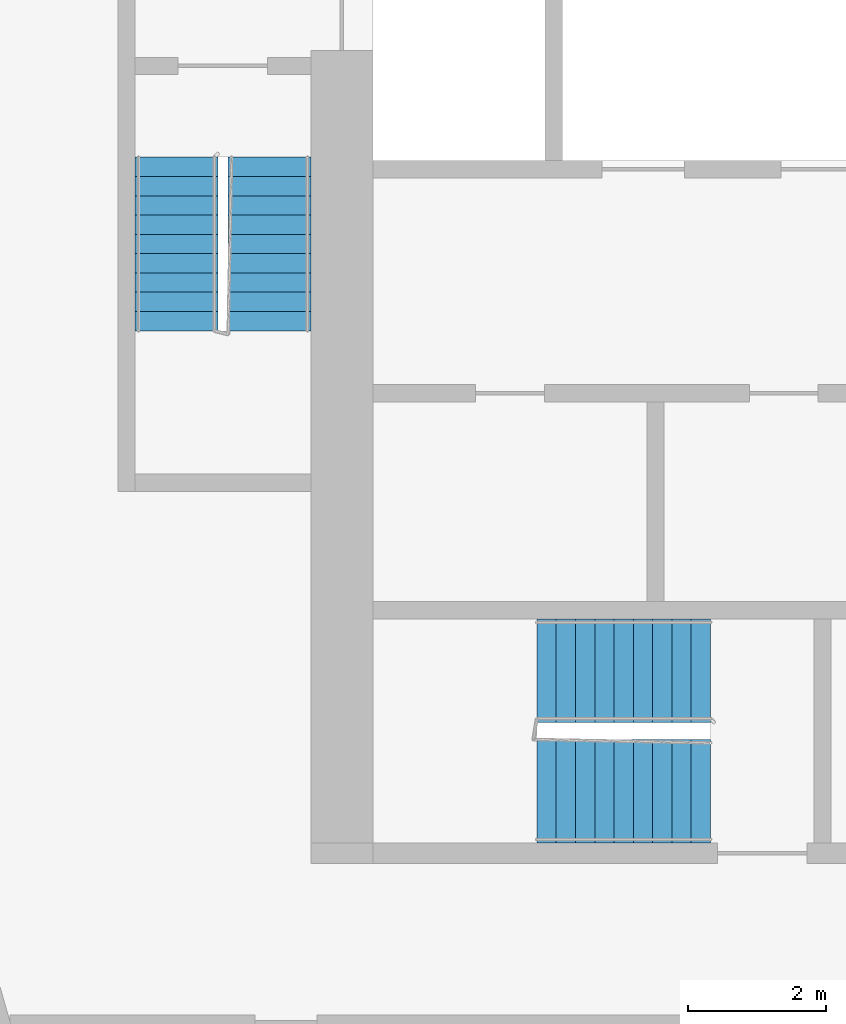
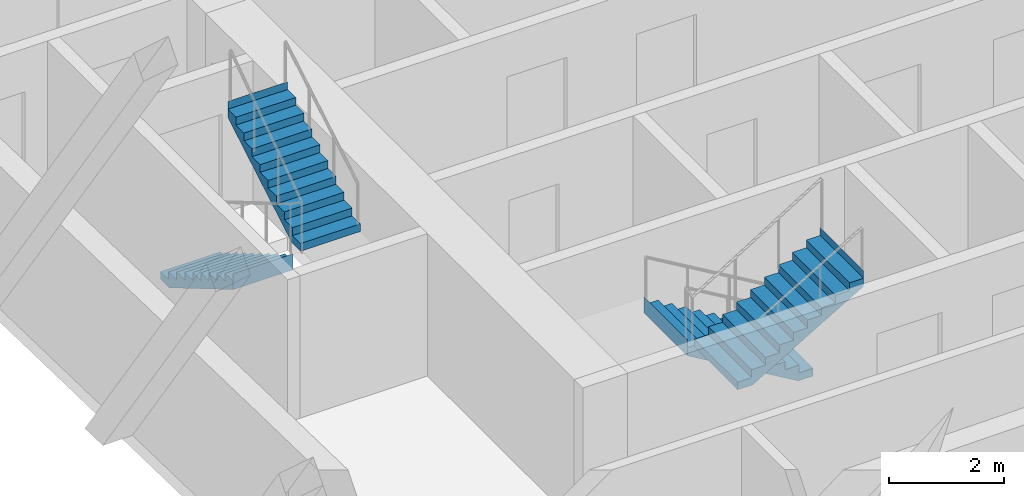
# One storey, part 8 of 12: 4 stair flights, 2 elements without a shape of their own.
"""IFC4 building model written with IfcOpenShell, lengths in metres."""

from ifc_helpers import new_model, si_unit, direction, frame, origin, place, context, subcontext, project, spatial, faceted_brep, material, type_object, element, aggregate, save


model = new_model("IFC4")

# Units and contexts
model_context = context("Model", 3, precision=1e-05, world=origin(), true_north=direction((0.0, 1.0)))
body_context = subcontext(model_context, "Body", "Model", "MODEL_VIEW")
ifc_project = project(units=[si_unit("LENGTHUNIT", "METRE"), si_unit("AREAUNIT", "SQUARE_METRE"), si_unit("VOLUMEUNIT", "CUBIC_METRE"), si_unit("PLANEANGLEUNIT", "RADIAN"), si_unit("MASSUNIT", "GRAM", prefix="KILO")], contexts=[model_context])

# Site, building, storey
site_placement = place(None, origin())
site = spatial("IfcSite", under=ifc_project, at=site_placement, CompositionType="ELEMENT")
building_placement = place(site_placement, origin())
building = spatial("IfcBuilding", under=site, at=building_placement, Name="Kajstack Hotel Tower", CompositionType="ELEMENT")
storey_placement = place(building_placement, frame((0.0, 0.0, 227.60009765625)))
storey = spatial("IfcBuildingStorey", under=building, at=storey_placement, Name="L55", CompositionType="ELEMENT", Elevation=227.60009765625)

# Stair, stair flights
ifc_material = material(Name="Concrete C40/50", Category="concrete")
stair_type_1 = type_object("IfcStairType", Name="Exit stair 1200", PredefinedType="HALF_TURN_STAIR", material=ifc_material)
stair_1_placement = place(storey_placement, origin())
stair_1 = element("IfcStair", 1, at=stair_1_placement, inside=storey, type_object=stair_type_1, Name="L55 stair W1", PredefinedType="HALF_TURN_STAIR")
stair_flight_type_1 = type_object("IfcStairFlightType", Name="Exit stair flight 1200", PredefinedType="STRAIGHT", material=ifc_material)
stair_flight_1_placement = place(storey_placement, frame((-33.449951171875, -5.25, 0.0), z_axis=(0.0, 0.0, 1.0), x_axis=(0.0, -1.0, 0.0)))
stair_flight_1 = element("IfcStairFlight", 2, at=stair_flight_1_placement, type_object=stair_flight_type_1, Name="W1 flight 1", NumberOfRisers=10, NumberOfTreads=9, PredefinedType="STRAIGHT", RiserHeight=0.165, TreadLength=0.28, context=body_context, shape_type="Brep", body=[
    faceted_brep([(0.295654296875, -0.60009765625, 0.0), (2.5205078125, -0.60009765625, 1.31103515625), (2.5205078125, -0.60009765625, 1.64990234375), (2.52001953125, -0.60009765625, 1.64990234375), (2.52001953125, -0.60009765625, 1.485107421875), (2.239990234375, -0.60009765625, 1.485107421875), (2.239990234375, -0.60009765625, 1.320068359375), (1.9599609375, -0.60009765625, 1.320068359375), (1.9599609375, -0.60009765625, 1.155029296875), (1.679931640625, -0.60009765625, 1.155029296875), (1.679931640625, -0.60009765625, 0.989990234375), (1.39990234375, -0.60009765625, 0.989990234375), (1.39990234375, -0.60009765625, 0.824951171875), (1.1201171875, -0.60009765625, 0.824951171875), (1.1201171875, -0.60009765625, 0.659912109375), (0.840087890625, -0.60009765625, 0.659912109375), (0.840087890625, -0.60009765625, 0.4951171875), (0.56005859375, -0.60009765625, 0.4951171875), (0.56005859375, -0.60009765625, 0.330078125), (0.280029296875, -0.60009765625, 0.330078125), (0.280029296875, -0.60009765625, 0.1650390625), (-0.00048828125, -0.60009765625, 0.1650390625), (-0.00048828125, -0.60009765625, 0.0), (-0.00048828125, 0.60009765625, 0.0), (-0.00048828125, 0.60009765625, 0.1650390625), (0.280029296875, 0.60009765625, 0.1650390625), (0.280029296875, 0.60009765625, 0.330078125), (0.56005859375, 0.60009765625, 0.330078125), (0.56005859375, 0.60009765625, 0.4951171875), (0.840087890625, 0.60009765625, 0.4951171875), (0.840087890625, 0.60009765625, 0.659912109375), (1.1201171875, 0.60009765625, 0.659912109375), (1.1201171875, 0.60009765625, 0.824951171875), (1.39990234375, 0.60009765625, 0.824951171875), (1.39990234375, 0.60009765625, 0.989990234375), (1.679931640625, 0.60009765625, 0.989990234375), (1.679931640625, 0.60009765625, 1.155029296875), (1.9599609375, 0.60009765625, 1.155029296875), (1.9599609375, 0.60009765625, 1.320068359375), (2.239990234375, 0.60009765625, 1.320068359375), (2.239990234375, 0.60009765625, 1.485107421875), (2.52001953125, 0.60009765625, 1.485107421875), (2.52001953125, 0.60009765625, 1.64990234375), (2.5205078125, 0.60009765625, 1.64990234375), (2.5205078125, 0.60009765625, 1.31103515625), (0.295654296875, 0.60009765625, 0.0), (-0.00048828125, -0.300048828125, 0.1650390625), (-0.00048828125, 0.0, 0.1650390625), (-0.00048828125, 0.300048828125, 0.1650390625), (-0.00048828125, 0.300048828125, 0.0), (-0.00048828125, 0.0, 0.0), (-0.00048828125, -0.300048828125, 0.0), (0.280029296875, -0.300048828125, 0.1650390625), (0.280029296875, 0.0, 0.1650390625), (0.280029296875, 0.300048828125, 0.1650390625), (0.280029296875, -0.300048828125, 0.330078125), (0.280029296875, 0.0, 0.330078125), (0.280029296875, 0.300048828125, 0.330078125), (0.56005859375, -0.300048828125, 0.330078125), (0.56005859375, 0.0, 0.330078125), (0.56005859375, 0.300048828125, 0.330078125), (0.56005859375, -0.300048828125, 0.4951171875), (0.56005859375, 0.0, 0.4951171875), (0.56005859375, 0.300048828125, 0.4951171875), (0.840087890625, -0.300048828125, 0.4951171875), (0.840087890625, 0.0, 0.4951171875), (0.840087890625, 0.300048828125, 0.4951171875), (0.840087890625, -0.300048828125, 0.659912109375), (0.840087890625, 0.0, 0.659912109375), (0.840087890625, 0.300048828125, 0.659912109375), (1.1201171875, -0.300048828125, 0.659912109375), (1.1201171875, 0.0, 0.659912109375), (1.1201171875, 0.300048828125, 0.659912109375), (1.1201171875, -0.300048828125, 0.824951171875), (1.1201171875, 0.0, 0.824951171875), (1.1201171875, 0.300048828125, 0.824951171875), (1.39990234375, -0.300048828125, 0.824951171875), (1.39990234375, 0.0, 0.824951171875), (1.39990234375, 0.300048828125, 0.824951171875), (1.39990234375, -0.300048828125, 0.989990234375), (1.39990234375, 0.0, 0.989990234375), (1.39990234375, 0.300048828125, 0.989990234375), (1.679931640625, -0.300048828125, 0.989990234375), (1.679931640625, 0.0, 0.989990234375), (1.679931640625, 0.300048828125, 0.989990234375), (1.679931640625, -0.300048828125, 1.155029296875), (1.679931640625, 0.0, 1.155029296875), (1.679931640625, 0.300048828125, 1.155029296875), (1.9599609375, -0.300048828125, 1.155029296875), (1.9599609375, 0.0, 1.155029296875), (1.9599609375, 0.300048828125, 1.155029296875), (1.9599609375, -0.300048828125, 1.320068359375), (1.9599609375, 0.0, 1.320068359375), (1.9599609375, 0.300048828125, 1.320068359375), (2.239990234375, -0.300048828125, 1.320068359375), (2.239990234375, 0.0, 1.320068359375), (2.239990234375, 0.300048828125, 1.320068359375), (2.239990234375, -0.300048828125, 1.485107421875), (2.239990234375, 0.0, 1.485107421875), (2.239990234375, 0.300048828125, 1.485107421875), (2.52001953125, -0.300048828125, 1.485107421875), (2.52001953125, 0.0, 1.485107421875), (2.52001953125, 0.300048828125, 1.485107421875), (2.52001953125, -0.300048828125, 1.64990234375), (2.52001953125, 0.0, 1.64990234375), (2.52001953125, 0.300048828125, 1.64990234375), (2.5205078125, -0.300048828125, 1.64990234375), (2.5205078125, 0.0, 1.64990234375), (2.5205078125, 0.300048828125, 1.64990234375), (2.5205078125, -0.300048828125, 1.31103515625), (2.5205078125, 0.0, 1.31103515625), (2.5205078125, 0.300048828125, 1.31103515625), (0.295654296875, -0.300048828125, 0.0), (0.295654296875, 0.0, 0.0), (0.295654296875, 0.300048828125, 0.0)], [[[0, 1, 2, 3, 4, 5, 6, 7, 8, 9, 10, 11, 12, 13, 14, 15, 16, 17, 18, 19, 20, 21, 22]], [[23, 24, 25, 26, 27, 28, 29, 30, 31, 32, 33, 34, 35, 36, 37, 38, 39, 40, 41, 42, 43, 44, 45]], [[21, 46, 47, 48, 24, 23, 49, 50, 51, 22]], [[20, 52, 53, 54, 25, 24, 48, 47, 46, 21]], [[19, 55, 56, 57, 26, 25, 54, 53, 52, 20]], [[18, 58, 59, 60, 27, 26, 57, 56, 55, 19]], [[17, 61, 62, 63, 28, 27, 60, 59, 58, 18]], [[16, 64, 65, 66, 29, 28, 63, 62, 61, 17]], [[15, 67, 68, 69, 30, 29, 66, 65, 64, 16]], [[14, 70, 71, 72, 31, 30, 69, 68, 67, 15]], [[13, 73, 74, 75, 32, 31, 72, 71, 70, 14]], [[12, 76, 77, 78, 33, 32, 75, 74, 73, 13]], [[11, 79, 80, 81, 34, 33, 78, 77, 76, 12]], [[10, 82, 83, 84, 35, 34, 81, 80, 79, 11]], [[9, 85, 86, 87, 36, 35, 84, 83, 82, 10]], [[8, 88, 89, 90, 37, 36, 87, 86, 85, 9]], [[7, 91, 92, 93, 38, 37, 90, 89, 88, 8]], [[6, 94, 95, 96, 39, 38, 93, 92, 91, 7]], [[5, 97, 98, 99, 40, 39, 96, 95, 94, 6]], [[4, 100, 101, 102, 41, 40, 99, 98, 97, 5]], [[3, 103, 104, 105, 42, 41, 102, 101, 100, 4]], [[2, 106, 107, 108, 43, 42, 105, 104, 103, 3]], [[1, 109, 110, 111, 44, 43, 108, 107, 106, 2]], [[0, 112, 113, 114, 45, 44, 111, 110, 109, 1]], [[22, 51, 50, 49, 23, 45, 114, 113, 112, 0]]]),
])
stair_flight_2_placement = place(storey_placement, frame((-32.10009765625, -7.77001953125, 1.64990234375), z_axis=(0.0, 0.0, 1.0), x_axis=(0.0, 1.0, 0.0)))
stair_flight_2 = element("IfcStairFlight", 3, at=stair_flight_2_placement, type_object=stair_flight_type_1, Name="W1 flight 2", NumberOfRisers=10, NumberOfTreads=9, PredefinedType="STRAIGHT", RiserHeight=0.165, TreadLength=0.28, context=body_context, shape_type="Brep", body=[
    faceted_brep([(0.295654296875, -0.60009765625, 0.0), (2.5205078125, -0.60009765625, 1.31103515625), (2.5205078125, -0.60009765625, 1.64990234375), (2.52001953125, -0.60009765625, 1.64990234375), (2.52001953125, -0.60009765625, 1.485107421875), (2.239990234375, -0.60009765625, 1.485107421875), (2.239990234375, -0.60009765625, 1.320068359375), (1.9599609375, -0.60009765625, 1.320068359375), (1.9599609375, -0.60009765625, 1.155029296875), (1.679931640625, -0.60009765625, 1.155029296875), (1.679931640625, -0.60009765625, 0.989990234375), (1.39990234375, -0.60009765625, 0.989990234375), (1.39990234375, -0.60009765625, 0.824951171875), (1.1201171875, -0.60009765625, 0.824951171875), (1.1201171875, -0.60009765625, 0.659912109375), (0.840087890625, -0.60009765625, 0.659912109375), (0.840087890625, -0.60009765625, 0.4951171875), (0.56005859375, -0.60009765625, 0.4951171875), (0.56005859375, -0.60009765625, 0.330078125), (0.280029296875, -0.60009765625, 0.330078125), (0.280029296875, -0.60009765625, 0.1650390625), (-0.00048828125, -0.60009765625, 0.1650390625), (-0.00048828125, -0.60009765625, 0.0), (-0.00048828125, 0.60009765625, 0.0), (-0.00048828125, 0.60009765625, 0.1650390625), (0.280029296875, 0.60009765625, 0.1650390625), (0.280029296875, 0.60009765625, 0.330078125), (0.56005859375, 0.60009765625, 0.330078125), (0.56005859375, 0.60009765625, 0.4951171875), (0.840087890625, 0.60009765625, 0.4951171875), (0.840087890625, 0.60009765625, 0.659912109375), (1.1201171875, 0.60009765625, 0.659912109375), (1.1201171875, 0.60009765625, 0.824951171875), (1.39990234375, 0.60009765625, 0.824951171875), (1.39990234375, 0.60009765625, 0.989990234375), (1.679931640625, 0.60009765625, 0.989990234375), (1.679931640625, 0.60009765625, 1.155029296875), (1.9599609375, 0.60009765625, 1.155029296875), (1.9599609375, 0.60009765625, 1.320068359375), (2.239990234375, 0.60009765625, 1.320068359375), (2.239990234375, 0.60009765625, 1.485107421875), (2.52001953125, 0.60009765625, 1.485107421875), (2.52001953125, 0.60009765625, 1.64990234375), (2.5205078125, 0.60009765625, 1.64990234375), (2.5205078125, 0.60009765625, 1.31103515625), (0.295654296875, 0.60009765625, 0.0), (-0.00048828125, -0.300048828125, 0.1650390625), (-0.00048828125, 0.0, 0.1650390625), (-0.00048828125, 0.300048828125, 0.1650390625), (-0.00048828125, 0.300048828125, 0.0), (-0.00048828125, 0.0, 0.0), (-0.00048828125, -0.300048828125, 0.0), (0.280029296875, -0.300048828125, 0.1650390625), (0.280029296875, 0.0, 0.1650390625), (0.280029296875, 0.300048828125, 0.1650390625), (0.280029296875, -0.300048828125, 0.330078125), (0.280029296875, 0.0, 0.330078125), (0.280029296875, 0.300048828125, 0.330078125), (0.56005859375, -0.300048828125, 0.330078125), (0.56005859375, 0.0, 0.330078125), (0.56005859375, 0.300048828125, 0.330078125), (0.56005859375, -0.300048828125, 0.4951171875), (0.56005859375, 0.0, 0.4951171875), (0.56005859375, 0.300048828125, 0.4951171875), (0.840087890625, -0.300048828125, 0.4951171875), (0.840087890625, 0.0, 0.4951171875), (0.840087890625, 0.300048828125, 0.4951171875), (0.840087890625, -0.300048828125, 0.659912109375), (0.840087890625, 0.0, 0.659912109375), (0.840087890625, 0.300048828125, 0.659912109375), (1.1201171875, -0.300048828125, 0.659912109375), (1.1201171875, 0.0, 0.659912109375), (1.1201171875, 0.300048828125, 0.659912109375), (1.1201171875, -0.300048828125, 0.824951171875), (1.1201171875, 0.0, 0.824951171875), (1.1201171875, 0.300048828125, 0.824951171875), (1.39990234375, -0.300048828125, 0.824951171875), (1.39990234375, 0.0, 0.824951171875), (1.39990234375, 0.300048828125, 0.824951171875), (1.39990234375, -0.300048828125, 0.989990234375), (1.39990234375, 0.0, 0.989990234375), (1.39990234375, 0.300048828125, 0.989990234375), (1.679931640625, -0.300048828125, 0.989990234375), (1.679931640625, 0.0, 0.989990234375), (1.679931640625, 0.300048828125, 0.989990234375), (1.679931640625, -0.300048828125, 1.155029296875), (1.679931640625, 0.0, 1.155029296875), (1.679931640625, 0.300048828125, 1.155029296875), (1.9599609375, -0.300048828125, 1.155029296875), (1.9599609375, 0.0, 1.155029296875), (1.9599609375, 0.300048828125, 1.155029296875), (1.9599609375, -0.300048828125, 1.320068359375), (1.9599609375, 0.0, 1.320068359375), (1.9599609375, 0.300048828125, 1.320068359375), (2.239990234375, -0.300048828125, 1.320068359375), (2.239990234375, 0.0, 1.320068359375), (2.239990234375, 0.300048828125, 1.320068359375), (2.239990234375, -0.300048828125, 1.485107421875), (2.239990234375, 0.0, 1.485107421875), (2.239990234375, 0.300048828125, 1.485107421875), (2.52001953125, -0.300048828125, 1.485107421875), (2.52001953125, 0.0, 1.485107421875), (2.52001953125, 0.300048828125, 1.485107421875), (2.52001953125, -0.300048828125, 1.64990234375), (2.52001953125, 0.0, 1.64990234375), (2.52001953125, 0.300048828125, 1.64990234375), (2.5205078125, -0.300048828125, 1.64990234375), (2.5205078125, 0.0, 1.64990234375), (2.5205078125, 0.300048828125, 1.64990234375), (2.5205078125, -0.300048828125, 1.31103515625), (2.5205078125, 0.0, 1.31103515625), (2.5205078125, 0.300048828125, 1.31103515625), (0.295654296875, -0.300048828125, 0.0), (0.295654296875, 0.0, 0.0), (0.295654296875, 0.300048828125, 0.0)], [[[0, 1, 2, 3, 4, 5, 6, 7, 8, 9, 10, 11, 12, 13, 14, 15, 16, 17, 18, 19, 20, 21, 22]], [[23, 24, 25, 26, 27, 28, 29, 30, 31, 32, 33, 34, 35, 36, 37, 38, 39, 40, 41, 42, 43, 44, 45]], [[21, 46, 47, 48, 24, 23, 49, 50, 51, 22]], [[20, 52, 53, 54, 25, 24, 48, 47, 46, 21]], [[19, 55, 56, 57, 26, 25, 54, 53, 52, 20]], [[18, 58, 59, 60, 27, 26, 57, 56, 55, 19]], [[17, 61, 62, 63, 28, 27, 60, 59, 58, 18]], [[16, 64, 65, 66, 29, 28, 63, 62, 61, 17]], [[15, 67, 68, 69, 30, 29, 66, 65, 64, 16]], [[14, 70, 71, 72, 31, 30, 69, 68, 67, 15]], [[13, 73, 74, 75, 32, 31, 72, 71, 70, 14]], [[12, 76, 77, 78, 33, 32, 75, 74, 73, 13]], [[11, 79, 80, 81, 34, 33, 78, 77, 76, 12]], [[10, 82, 83, 84, 35, 34, 81, 80, 79, 11]], [[9, 85, 86, 87, 36, 35, 84, 83, 82, 10]], [[8, 88, 89, 90, 37, 36, 87, 86, 85, 9]], [[7, 91, 92, 93, 38, 37, 90, 89, 88, 8]], [[6, 94, 95, 96, 39, 38, 93, 92, 91, 7]], [[5, 97, 98, 99, 40, 39, 96, 95, 94, 6]], [[4, 100, 101, 102, 41, 40, 99, 98, 97, 5]], [[3, 103, 104, 105, 42, 41, 102, 101, 100, 4]], [[2, 106, 107, 108, 43, 42, 105, 104, 103, 3]], [[1, 109, 110, 111, 44, 43, 108, 107, 106, 2]], [[0, 112, 113, 114, 45, 44, 111, 110, 109, 1]], [[22, 51, 50, 49, 23, 45, 114, 113, 112, 0]]]),
])
aggregate(stair_1, [stair_flight_1, stair_flight_2])

stair_type_2 = type_object("IfcStairType", Name="Exit stair 1500", PredefinedType="HALF_TURN_STAIR", material=ifc_material)
stair_2_placement = place(storey_placement, origin())
stair_2 = element("IfcStair", 4, at=stair_2_placement, inside=storey, type_object=stair_type_2, Name="L55 stair W3", PredefinedType="HALF_TURN_STAIR")
stair_flight_type_2 = type_object("IfcStairFlightType", Name="Exit stair flight 1500", PredefinedType="STRAIGHT", material=ifc_material)
stair_flight_3_placement = place(storey_placement, frame((-25.699951171875, -12.699951171875, 0.0), z_axis=(0.0, 0.0, 1.0), x_axis=(-1.0, 0.0, 0.0)))
stair_flight_3 = element("IfcStairFlight", 5, at=stair_flight_3_placement, type_object=stair_flight_type_2, Name="W3 flight 1", NumberOfRisers=10, NumberOfTreads=9, PredefinedType="STRAIGHT", RiserHeight=0.165, TreadLength=0.28, context=body_context, shape_type="Brep", body=[
    faceted_brep([(0.295654296875, -0.75, 0.0), (2.5205078125, -0.75, 1.31103515625), (2.5205078125, -0.75, 1.64990234375), (2.52001953125, -0.75, 1.64990234375), (2.52001953125, -0.75, 1.485107421875), (2.239990234375, -0.75, 1.485107421875), (2.239990234375, -0.75, 1.320068359375), (1.9599609375, -0.75, 1.320068359375), (1.9599609375, -0.75, 1.155029296875), (1.679931640625, -0.75, 1.155029296875), (1.679931640625, -0.75, 0.989990234375), (1.39990234375, -0.75, 0.989990234375), (1.39990234375, -0.75, 0.824951171875), (1.1201171875, -0.75, 0.824951171875), (1.1201171875, -0.75, 0.659912109375), (0.840087890625, -0.75, 0.659912109375), (0.840087890625, -0.75, 0.4951171875), (0.56005859375, -0.75, 0.4951171875), (0.56005859375, -0.75, 0.330078125), (0.280029296875, -0.75, 0.330078125), (0.280029296875, -0.75, 0.1650390625), (-0.00048828125, -0.75, 0.1650390625), (-0.00048828125, -0.75, 0.0), (-0.00048828125, 0.75, 0.0), (-0.00048828125, 0.75, 0.1650390625), (0.280029296875, 0.75, 0.1650390625), (0.280029296875, 0.75, 0.330078125), (0.56005859375, 0.75, 0.330078125), (0.56005859375, 0.75, 0.4951171875), (0.840087890625, 0.75, 0.4951171875), (0.840087890625, 0.75, 0.659912109375), (1.1201171875, 0.75, 0.659912109375), (1.1201171875, 0.75, 0.824951171875), (1.39990234375, 0.75, 0.824951171875), (1.39990234375, 0.75, 0.989990234375), (1.679931640625, 0.75, 0.989990234375), (1.679931640625, 0.75, 1.155029296875), (1.9599609375, 0.75, 1.155029296875), (1.9599609375, 0.75, 1.320068359375), (2.239990234375, 0.75, 1.320068359375), (2.239990234375, 0.75, 1.485107421875), (2.52001953125, 0.75, 1.485107421875), (2.52001953125, 0.75, 1.64990234375), (2.5205078125, 0.75, 1.64990234375), (2.5205078125, 0.75, 1.31103515625), (0.295654296875, 0.75, 0.0), (-0.00048828125, -0.375, 0.1650390625), (-0.00048828125, 0.0, 0.1650390625), (-0.00048828125, 0.375, 0.1650390625), (-0.00048828125, 0.375, 0.0), (-0.00048828125, 0.0, 0.0), (-0.00048828125, -0.375, 0.0), (0.280029296875, -0.375, 0.1650390625), (0.280029296875, 0.0, 0.1650390625), (0.280029296875, 0.375, 0.1650390625), (0.280029296875, -0.375, 0.330078125), (0.280029296875, 0.0, 0.330078125), (0.280029296875, 0.375, 0.330078125), (0.56005859375, -0.375, 0.330078125), (0.56005859375, 0.0, 0.330078125), (0.56005859375, 0.375, 0.330078125), (0.56005859375, -0.375, 0.4951171875), (0.56005859375, 0.0, 0.4951171875), (0.56005859375, 0.375, 0.4951171875), (0.840087890625, -0.375, 0.4951171875), (0.840087890625, 0.0, 0.4951171875), (0.840087890625, 0.375, 0.4951171875), (0.840087890625, -0.375, 0.659912109375), (0.840087890625, 0.0, 0.659912109375), (0.840087890625, 0.375, 0.659912109375), (1.1201171875, -0.375, 0.659912109375), (1.1201171875, 0.0, 0.659912109375), (1.1201171875, 0.375, 0.659912109375), (1.1201171875, -0.375, 0.824951171875), (1.1201171875, 0.0, 0.824951171875), (1.1201171875, 0.375, 0.824951171875), (1.39990234375, -0.375, 0.824951171875), (1.39990234375, 0.0, 0.824951171875), (1.39990234375, 0.375, 0.824951171875), (1.39990234375, -0.375, 0.989990234375), (1.39990234375, 0.0, 0.989990234375), (1.39990234375, 0.375, 0.989990234375), (1.679931640625, -0.375, 0.989990234375), (1.679931640625, 0.0, 0.989990234375), (1.679931640625, 0.375, 0.989990234375), (1.679931640625, -0.375, 1.155029296875), (1.679931640625, 0.0, 1.155029296875), (1.679931640625, 0.375, 1.155029296875), (1.9599609375, -0.375, 1.155029296875), (1.9599609375, 0.0, 1.155029296875), (1.9599609375, 0.375, 1.155029296875), (1.9599609375, -0.375, 1.320068359375), (1.9599609375, 0.0, 1.320068359375), (1.9599609375, 0.375, 1.320068359375), (2.239990234375, -0.375, 1.320068359375), (2.239990234375, 0.0, 1.320068359375), (2.239990234375, 0.375, 1.320068359375), (2.239990234375, -0.375, 1.485107421875), (2.239990234375, 0.0, 1.485107421875), (2.239990234375, 0.375, 1.485107421875), (2.52001953125, -0.375, 1.485107421875), (2.52001953125, 0.0, 1.485107421875), (2.52001953125, 0.375, 1.485107421875), (2.52001953125, -0.375, 1.64990234375), (2.52001953125, 0.0, 1.64990234375), (2.52001953125, 0.375, 1.64990234375), (2.5205078125, -0.375, 1.64990234375), (2.5205078125, 0.0, 1.64990234375), (2.5205078125, 0.375, 1.64990234375), (2.5205078125, -0.375, 1.31103515625), (2.5205078125, 0.0, 1.31103515625), (2.5205078125, 0.375, 1.31103515625), (0.295654296875, -0.375, 0.0), (0.295654296875, 0.0, 0.0), (0.295654296875, 0.375, 0.0)], [[[0, 1, 2, 3, 4, 5, 6, 7, 8, 9, 10, 11, 12, 13, 14, 15, 16, 17, 18, 19, 20, 21, 22]], [[23, 24, 25, 26, 27, 28, 29, 30, 31, 32, 33, 34, 35, 36, 37, 38, 39, 40, 41, 42, 43, 44, 45]], [[21, 46, 47, 48, 24, 23, 49, 50, 51, 22]], [[20, 52, 53, 54, 25, 24, 48, 47, 46, 21]], [[19, 55, 56, 57, 26, 25, 54, 53, 52, 20]], [[18, 58, 59, 60, 27, 26, 57, 56, 55, 19]], [[17, 61, 62, 63, 28, 27, 60, 59, 58, 18]], [[16, 64, 65, 66, 29, 28, 63, 62, 61, 17]], [[15, 67, 68, 69, 30, 29, 66, 65, 64, 16]], [[14, 70, 71, 72, 31, 30, 69, 68, 67, 15]], [[13, 73, 74, 75, 32, 31, 72, 71, 70, 14]], [[12, 76, 77, 78, 33, 32, 75, 74, 73, 13]], [[11, 79, 80, 81, 34, 33, 78, 77, 76, 12]], [[10, 82, 83, 84, 35, 34, 81, 80, 79, 11]], [[9, 85, 86, 87, 36, 35, 84, 83, 82, 10]], [[8, 88, 89, 90, 37, 36, 87, 86, 85, 9]], [[7, 91, 92, 93, 38, 37, 90, 89, 88, 8]], [[6, 94, 95, 96, 39, 38, 93, 92, 91, 7]], [[5, 97, 98, 99, 40, 39, 96, 95, 94, 6]], [[4, 100, 101, 102, 41, 40, 99, 98, 97, 5]], [[3, 103, 104, 105, 42, 41, 102, 101, 100, 4]], [[2, 106, 107, 108, 43, 42, 105, 104, 103, 3]], [[1, 109, 110, 111, 44, 43, 108, 107, 106, 2]], [[0, 112, 113, 114, 45, 44, 111, 110, 109, 1]], [[22, 51, 50, 49, 23, 45, 114, 113, 112, 0]]]),
])
stair_flight_4_placement = place(storey_placement, frame((-28.219970703125, -14.449951171875, 1.64990234375), z_axis=(0.0, 0.0, 1.0), x_axis=(1.0, 0.0, 0.0)))
stair_flight_4 = element("IfcStairFlight", 6, at=stair_flight_4_placement, type_object=stair_flight_type_2, Name="W3 flight 2", NumberOfRisers=10, NumberOfTreads=9, PredefinedType="STRAIGHT", RiserHeight=0.165, TreadLength=0.28, context=body_context, shape_type="Brep", body=[
    faceted_brep([(0.295654296875, -0.75, 0.0), (2.5205078125, -0.75, 1.31103515625), (2.5205078125, -0.75, 1.64990234375), (2.52001953125, -0.75, 1.64990234375), (2.52001953125, -0.75, 1.485107421875), (2.239990234375, -0.75, 1.485107421875), (2.239990234375, -0.75, 1.320068359375), (1.9599609375, -0.75, 1.320068359375), (1.9599609375, -0.75, 1.155029296875), (1.679931640625, -0.75, 1.155029296875), (1.679931640625, -0.75, 0.989990234375), (1.39990234375, -0.75, 0.989990234375), (1.39990234375, -0.75, 0.824951171875), (1.1201171875, -0.75, 0.824951171875), (1.1201171875, -0.75, 0.659912109375), (0.840087890625, -0.75, 0.659912109375), (0.840087890625, -0.75, 0.4951171875), (0.56005859375, -0.75, 0.4951171875), (0.56005859375, -0.75, 0.330078125), (0.280029296875, -0.75, 0.330078125), (0.280029296875, -0.75, 0.1650390625), (-0.00048828125, -0.75, 0.1650390625), (-0.00048828125, -0.75, 0.0), (-0.00048828125, 0.75, 0.0), (-0.00048828125, 0.75, 0.1650390625), (0.280029296875, 0.75, 0.1650390625), (0.280029296875, 0.75, 0.330078125), (0.56005859375, 0.75, 0.330078125), (0.56005859375, 0.75, 0.4951171875), (0.840087890625, 0.75, 0.4951171875), (0.840087890625, 0.75, 0.659912109375), (1.1201171875, 0.75, 0.659912109375), (1.1201171875, 0.75, 0.824951171875), (1.39990234375, 0.75, 0.824951171875), (1.39990234375, 0.75, 0.989990234375), (1.679931640625, 0.75, 0.989990234375), (1.679931640625, 0.75, 1.155029296875), (1.9599609375, 0.75, 1.155029296875), (1.9599609375, 0.75, 1.320068359375), (2.239990234375, 0.75, 1.320068359375), (2.239990234375, 0.75, 1.485107421875), (2.52001953125, 0.75, 1.485107421875), (2.52001953125, 0.75, 1.64990234375), (2.5205078125, 0.75, 1.64990234375), (2.5205078125, 0.75, 1.31103515625), (0.295654296875, 0.75, 0.0), (-0.00048828125, -0.375, 0.1650390625), (-0.00048828125, 0.0, 0.1650390625), (-0.00048828125, 0.375, 0.1650390625), (-0.00048828125, 0.375, 0.0), (-0.00048828125, 0.0, 0.0), (-0.00048828125, -0.375, 0.0), (0.280029296875, -0.375, 0.1650390625), (0.280029296875, 0.0, 0.1650390625), (0.280029296875, 0.375, 0.1650390625), (0.280029296875, -0.375, 0.330078125), (0.280029296875, 0.0, 0.330078125), (0.280029296875, 0.375, 0.330078125), (0.56005859375, -0.375, 0.330078125), (0.56005859375, 0.0, 0.330078125), (0.56005859375, 0.375, 0.330078125), (0.56005859375, -0.375, 0.4951171875), (0.56005859375, 0.0, 0.4951171875), (0.56005859375, 0.375, 0.4951171875), (0.840087890625, -0.375, 0.4951171875), (0.840087890625, 0.0, 0.4951171875), (0.840087890625, 0.375, 0.4951171875), (0.840087890625, -0.375, 0.659912109375), (0.840087890625, 0.0, 0.659912109375), (0.840087890625, 0.375, 0.659912109375), (1.1201171875, -0.375, 0.659912109375), (1.1201171875, 0.0, 0.659912109375), (1.1201171875, 0.375, 0.659912109375), (1.1201171875, -0.375, 0.824951171875), (1.1201171875, 0.0, 0.824951171875), (1.1201171875, 0.375, 0.824951171875), (1.39990234375, -0.375, 0.824951171875), (1.39990234375, 0.0, 0.824951171875), (1.39990234375, 0.375, 0.824951171875), (1.39990234375, -0.375, 0.989990234375), (1.39990234375, 0.0, 0.989990234375), (1.39990234375, 0.375, 0.989990234375), (1.679931640625, -0.375, 0.989990234375), (1.679931640625, 0.0, 0.989990234375), (1.679931640625, 0.375, 0.989990234375), (1.679931640625, -0.375, 1.155029296875), (1.679931640625, 0.0, 1.155029296875), (1.679931640625, 0.375, 1.155029296875), (1.9599609375, -0.375, 1.155029296875), (1.9599609375, 0.0, 1.155029296875), (1.9599609375, 0.375, 1.155029296875), (1.9599609375, -0.375, 1.320068359375), (1.9599609375, 0.0, 1.320068359375), (1.9599609375, 0.375, 1.320068359375), (2.239990234375, -0.375, 1.320068359375), (2.239990234375, 0.0, 1.320068359375), (2.239990234375, 0.375, 1.320068359375), (2.239990234375, -0.375, 1.485107421875), (2.239990234375, 0.0, 1.485107421875), (2.239990234375, 0.375, 1.485107421875), (2.52001953125, -0.375, 1.485107421875), (2.52001953125, 0.0, 1.485107421875), (2.52001953125, 0.375, 1.485107421875), (2.52001953125, -0.375, 1.64990234375), (2.52001953125, 0.0, 1.64990234375), (2.52001953125, 0.375, 1.64990234375), (2.5205078125, -0.375, 1.64990234375), (2.5205078125, 0.0, 1.64990234375), (2.5205078125, 0.375, 1.64990234375), (2.5205078125, -0.375, 1.31103515625), (2.5205078125, 0.0, 1.31103515625), (2.5205078125, 0.375, 1.31103515625), (0.295654296875, -0.375, 0.0), (0.295654296875, 0.0, 0.0), (0.295654296875, 0.375, 0.0)], [[[0, 1, 2, 3, 4, 5, 6, 7, 8, 9, 10, 11, 12, 13, 14, 15, 16, 17, 18, 19, 20, 21, 22]], [[23, 24, 25, 26, 27, 28, 29, 30, 31, 32, 33, 34, 35, 36, 37, 38, 39, 40, 41, 42, 43, 44, 45]], [[21, 46, 47, 48, 24, 23, 49, 50, 51, 22]], [[20, 52, 53, 54, 25, 24, 48, 47, 46, 21]], [[19, 55, 56, 57, 26, 25, 54, 53, 52, 20]], [[18, 58, 59, 60, 27, 26, 57, 56, 55, 19]], [[17, 61, 62, 63, 28, 27, 60, 59, 58, 18]], [[16, 64, 65, 66, 29, 28, 63, 62, 61, 17]], [[15, 67, 68, 69, 30, 29, 66, 65, 64, 16]], [[14, 70, 71, 72, 31, 30, 69, 68, 67, 15]], [[13, 73, 74, 75, 32, 31, 72, 71, 70, 14]], [[12, 76, 77, 78, 33, 32, 75, 74, 73, 13]], [[11, 79, 80, 81, 34, 33, 78, 77, 76, 12]], [[10, 82, 83, 84, 35, 34, 81, 80, 79, 11]], [[9, 85, 86, 87, 36, 35, 84, 83, 82, 10]], [[8, 88, 89, 90, 37, 36, 87, 86, 85, 9]], [[7, 91, 92, 93, 38, 37, 90, 89, 88, 8]], [[6, 94, 95, 96, 39, 38, 93, 92, 91, 7]], [[5, 97, 98, 99, 40, 39, 96, 95, 94, 6]], [[4, 100, 101, 102, 41, 40, 99, 98, 97, 5]], [[3, 103, 104, 105, 42, 41, 102, 101, 100, 4]], [[2, 106, 107, 108, 43, 42, 105, 104, 103, 3]], [[1, 109, 110, 111, 44, 43, 108, 107, 106, 2]], [[0, 112, 113, 114, 45, 44, 111, 110, 109, 1]], [[22, 51, 50, 49, 23, 45, 114, 113, 112, 0]]]),
])
aggregate(stair_2, [stair_flight_3, stair_flight_4])

save(model, "model.ifc")
